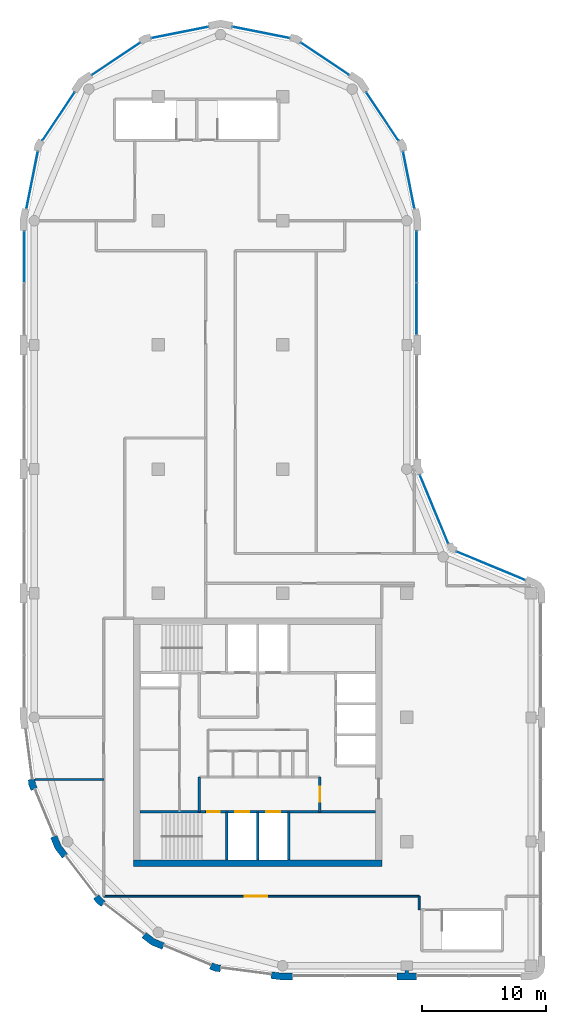
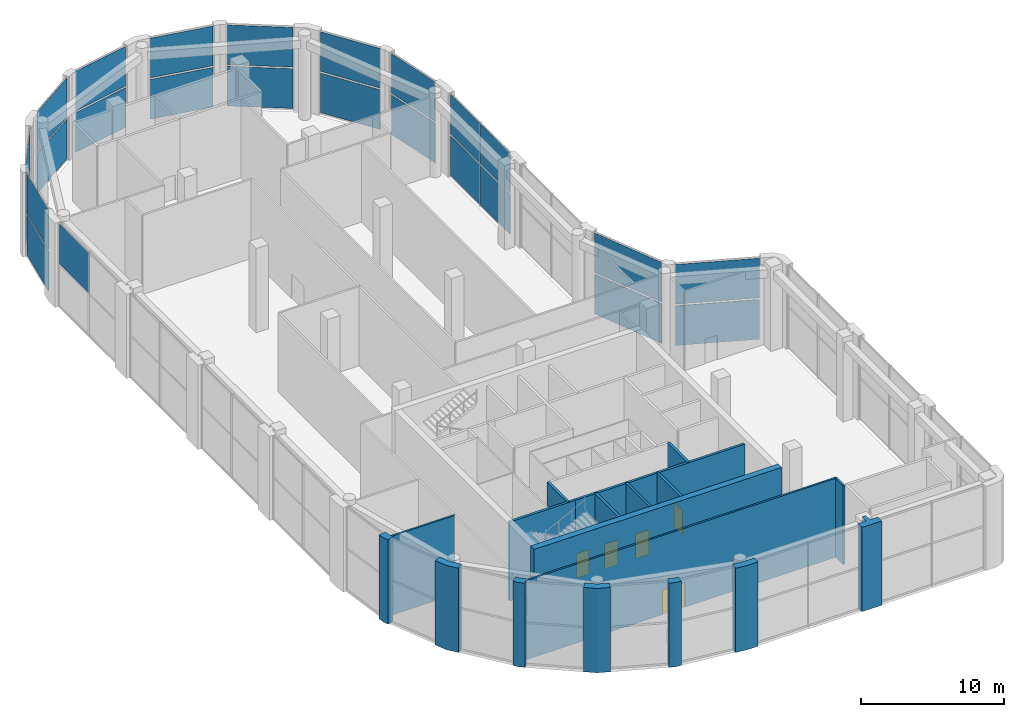
# One storey, part 10 of 14: 25 plates, 18 walls, 5 doors, 5 openings, 12 elements without a shape of their own.
"""IFC4 building model written with IfcOpenShell, lengths in metres."""

from ifc_helpers import new_model, si_unit, direction, frame, frame_2d, origin, origin_2d, place, context, subcontext, project, spatial, polyline, rectangle, outline, extrude, material, layer, layer_set, type_object, element, fill, aggregate, save


model = new_model("IFC4")

# Units and contexts
model_context = context("Model", 3, precision=1e-05, world=origin(), true_north=direction((0.0, 1.0)))
body_context = subcontext(model_context, "Body", "Model", "MODEL_VIEW")
ifc_project = project(units=[si_unit("LENGTHUNIT", "METRE"), si_unit("AREAUNIT", "SQUARE_METRE"), si_unit("VOLUMEUNIT", "CUBIC_METRE"), si_unit("PLANEANGLEUNIT", "RADIAN"), si_unit("MASSUNIT", "GRAM", prefix="KILO")], contexts=[model_context])

# Site, building, storey
site_placement = place(None, origin())
site = spatial("IfcSite", under=ifc_project, at=site_placement, CompositionType="ELEMENT")
building_placement = place(site_placement, origin())
building = spatial("IfcBuilding", under=site, at=building_placement, Name="Qaws Garden Tower", CompositionType="ELEMENT")
storey_placement = place(building_placement, frame((0.0, 0.0, 358.199951171875)))
storey = spatial("IfcBuildingStorey", under=building, at=storey_placement, Name="L87", CompositionType="ELEMENT", Elevation=358.199951171875)

# Curtain wall, plates
ifc_material_1 = material(Name="Anodised aluminium curtain wall frame", Category="aluminium")
ifc_layer_1 = layer(ifc_material_1, 0.159912109375)
ifc_layer_set_1 = layer_set([ifc_layer_1], Name="Anodised aluminium curtain wall frame")
curtain_wall_type = type_object("IfcCurtainWallType", Name="CW3 observation glazing curtain wall", PredefinedType="NOTDEFINED", material=ifc_layer_set_1)
placement = place(storey_placement, origin())
curtain_wall_1 = element("IfcCurtainWall", 1, at=placement, inside=storey, type_object=curtain_wall_type, Name="CW3 Observation glazing 05", PredefinedType="NOTDEFINED")
ifc_material_2 = material(Name="Clear laminated glass", Category="glass")
ifc_layer_2 = layer(ifc_material_2, 0.035888671875)
ifc_layer_set_2 = layer_set([ifc_layer_2], Name="Clear laminated glass")
plate_type = type_object("IfcPlateType", Name="CW3 glass panel 36", PredefinedType="CURTAIN_PANEL", material=ifc_layer_set_2)
plate_1_placement = place(storey_placement, frame((36.7705078125, 32.20361328125, 0.14013671875), z_axis=(0.0, 0.0, 1.0), x_axis=(-0.923879532538, 0.382683432301, 0.0)))
plate_1 = element("IfcPlate", 2, at=plate_1_placement, type_object=plate_type, Name="CW3 panel 1.1", PredefinedType="CURTAIN_PANEL", context=body_context, shape_type="SweptSolid", body=[
    extrude(rectangle(XDim=5.93359375, YDim=0.035888671875, at=origin_2d()), origin(), (0.0, 0.0, 1.0), 3.389892578125),
])
plate_2_placement = place(storey_placement, frame((36.7705078125, 32.20361328125, 3.669921875), z_axis=(0.0, 0.0, 1.0), x_axis=(-0.923879532538, 0.382683432301, 0.0)))
plate_2 = element("IfcPlate", 3, at=plate_2_placement, type_object=plate_type, Name="CW3 panel 1.2", PredefinedType="CURTAIN_PANEL", context=body_context, shape_type="SweptSolid", body=[
    extrude(rectangle(XDim=5.93359375, YDim=0.035888671875, at=origin_2d()), origin(), (0.0, 0.0, 1.0), 3.389892578125),
])
aggregate(curtain_wall_1, [plate_1, plate_2])

curtain_wall_2 = element("IfcCurtainWall", 4, at=placement, inside=storey, type_object=curtain_wall_type, Name="CW3 Observation glazing 06", PredefinedType="NOTDEFINED")
plate_3_placement = place(storey_placement, frame((32.20361328125, 36.7705078125, 0.14013671875), z_axis=(0.0, 0.0, 1.0), x_axis=(-0.382683432301, 0.923879532538, 0.0)))
plate_3 = element("IfcPlate", 5, at=plate_3_placement, type_object=plate_type, Name="CW3 panel 1.1", PredefinedType="CURTAIN_PANEL", context=body_context, shape_type="SweptSolid", body=[
    extrude(rectangle(XDim=5.93359375, YDim=0.035888671875, at=origin_2d()), origin(), (0.0, 0.0, 1.0), 3.389892578125),
])
plate_4_placement = place(storey_placement, frame((32.20361328125, 36.7705078125, 3.669921875), z_axis=(0.0, 0.0, 1.0), x_axis=(-0.382683432301, 0.923879532538, 0.0)))
plate_4 = element("IfcPlate", 6, at=plate_4_placement, type_object=plate_type, Name="CW3 panel 1.2", PredefinedType="CURTAIN_PANEL", context=body_context, shape_type="SweptSolid", body=[
    extrude(rectangle(XDim=5.93359375, YDim=0.035888671875, at=origin_2d()), origin(), (0.0, 0.0, 1.0), 3.389892578125),
])
aggregate(curtain_wall_2, [plate_3, plate_4])

curtain_wall_3 = element("IfcCurtainWall", 7, at=placement, inside=storey, type_object=curtain_wall_type, Name="CW3 Observation glazing 08", PredefinedType="NOTDEFINED")
plate_5_placement = place(storey_placement, frame((30.800048828125, 52.9150390625, 0.14013671875), z_axis=(0.0, 0.0, 1.0), x_axis=(0.0, 1.0, 0.0)))
plate_5 = element("IfcPlate", 8, at=plate_5_placement, type_object=plate_type, Name="CW3 panel 1.1", PredefinedType="CURTAIN_PANEL", context=body_context, shape_type="SweptSolid", body=[
    extrude(rectangle(XDim=4.110107421875, YDim=0.035888671875, at=origin_2d()), origin(), (0.0, 0.0, 1.0), 3.389892578125),
])
plate_6_placement = place(storey_placement, frame((30.800048828125, 52.9150390625, 3.669921875), z_axis=(0.0, 0.0, 1.0), x_axis=(0.0, 1.0, 0.0)))
plate_6 = element("IfcPlate", 9, at=plate_6_placement, type_object=plate_type, Name="CW3 panel 1.2", PredefinedType="CURTAIN_PANEL", context=body_context, shape_type="SweptSolid", body=[
    extrude(rectangle(XDim=4.110107421875, YDim=0.035888671875, at=origin_2d()), origin(), (0.0, 0.0, 1.0), 3.389892578125),
])
plate_7_placement = place(storey_placement, frame((30.800048828125, 57.0849609375, 0.14013671875), z_axis=(0.0, 0.0, 1.0), x_axis=(0.0, 1.0, 0.0)))
plate_7 = element("IfcPlate", 10, at=plate_7_placement, type_object=plate_type, Name="CW3 panel 2.1", PredefinedType="CURTAIN_PANEL", context=body_context, shape_type="SweptSolid", body=[
    extrude(rectangle(XDim=4.110107421875, YDim=0.035888671875, at=origin_2d()), origin(), (0.0, 0.0, 1.0), 3.389892578125),
])
plate_8_placement = place(storey_placement, frame((30.800048828125, 57.0849609375, 3.669921875), z_axis=(0.0, 0.0, 1.0), x_axis=(0.0, 1.0, 0.0)))
plate_8 = element("IfcPlate", 11, at=plate_8_placement, type_object=plate_type, Name="CW3 panel 2.2", PredefinedType="CURTAIN_PANEL", context=body_context, shape_type="SweptSolid", body=[
    extrude(rectangle(XDim=4.110107421875, YDim=0.035888671875, at=origin_2d()), origin(), (0.0, 0.0, 1.0), 3.389892578125),
])
aggregate(curtain_wall_3, [plate_5, plate_6, plate_7, plate_8])

curtain_wall_4 = element("IfcCurtainWall", 12, at=placement, inside=storey, type_object=curtain_wall_type, Name="CW3 Observation glazing 09", PredefinedType="NOTDEFINED")
plate_9_placement = place(storey_placement, frame((30.1650390625, 63.271484375, 0.14013671875), z_axis=(0.0, 0.0, 1.0), x_axis=(-0.195090321999, 0.980785280407, 0.0)))
plate_9 = element("IfcPlate", 13, at=plate_9_placement, type_object=plate_type, Name="CW3 panel 1.1", PredefinedType="CURTAIN_PANEL", context=body_context, shape_type="SweptSolid", body=[
    extrude(rectangle(XDim=4.6328125, YDim=0.035888671875, at=origin_2d()), origin(), (0.0, 0.0, 1.0), 3.389892578125),
])
plate_10_placement = place(storey_placement, frame((30.1650390625, 63.271484375, 3.669921875), z_axis=(0.0, 0.0, 1.0), x_axis=(-0.195090321999, 0.980785280407, 0.0)))
plate_10 = element("IfcPlate", 14, at=plate_10_placement, type_object=plate_type, Name="CW3 panel 1.2", PredefinedType="CURTAIN_PANEL", context=body_context, shape_type="SweptSolid", body=[
    extrude(rectangle(XDim=4.6328125, YDim=0.035888671875, at=origin_2d()), origin(), (0.0, 0.0, 1.0), 3.389892578125),
])
aggregate(curtain_wall_4, [plate_9, plate_10])

curtain_wall_5 = element("IfcCurtainWall", 15, at=placement, inside=storey, type_object=curtain_wall_type, Name="CW3 Observation glazing 10", PredefinedType="NOTDEFINED")
plate_11_placement = place(storey_placement, frame((28.036376953125, 68.409912109375, 0.14013671875), z_axis=(0.0, 0.0, 1.0), x_axis=(-0.555570233165, 0.831469612206, 0.0)))
plate_11 = element("IfcPlate", 16, at=plate_11_placement, type_object=plate_type, Name="CW3 panel 1.1", PredefinedType="CURTAIN_PANEL", context=body_context, shape_type="SweptSolid", body=[
    extrude(rectangle(XDim=4.6328125, YDim=0.035888671875, at=origin_2d()), origin(), (0.0, 0.0, 1.0), 3.389892578125),
])
plate_12_placement = place(storey_placement, frame((28.036376953125, 68.409912109375, 3.669921875), z_axis=(0.0, 0.0, 1.0), x_axis=(-0.555570233165, 0.831469612206, 0.0)))
plate_12 = element("IfcPlate", 17, at=plate_12_placement, type_object=plate_type, Name="CW3 panel 1.2", PredefinedType="CURTAIN_PANEL", context=body_context, shape_type="SweptSolid", body=[
    extrude(rectangle(XDim=4.6328125, YDim=0.035888671875, at=origin_2d()), origin(), (0.0, 0.0, 1.0), 3.389892578125),
])
aggregate(curtain_wall_5, [plate_11, plate_12])

curtain_wall_6 = element("IfcCurtainWall", 18, at=placement, inside=storey, type_object=curtain_wall_type, Name="CW3 Observation glazing 11", PredefinedType="NOTDEFINED")
plate_13_placement = place(storey_placement, frame((23.409912109375, 73.036376953125, 0.14013671875), z_axis=(0.0, 0.0, 1.0), x_axis=(-0.831469612206, 0.555570233165, 0.0)))
plate_13 = element("IfcPlate", 19, at=plate_13_placement, type_object=plate_type, Name="CW3 panel 1.1", PredefinedType="CURTAIN_PANEL", context=body_context, shape_type="SweptSolid", body=[
    extrude(rectangle(XDim=4.6328125, YDim=0.035888671875, at=origin_2d()), origin(), (0.0, 0.0, 1.0), 3.389892578125),
])
plate_14_placement = place(storey_placement, frame((23.409912109375, 73.036376953125, 3.669921875), z_axis=(0.0, 0.0, 1.0), x_axis=(-0.831469612206, 0.555570233165, 0.0)))
plate_14 = element("IfcPlate", 20, at=plate_14_placement, type_object=plate_type, Name="CW3 panel 1.2", PredefinedType="CURTAIN_PANEL", context=body_context, shape_type="SweptSolid", body=[
    extrude(rectangle(XDim=4.6328125, YDim=0.035888671875, at=origin_2d()), origin(), (0.0, 0.0, 1.0), 3.389892578125),
])
aggregate(curtain_wall_6, [plate_13, plate_14])

curtain_wall_7 = element("IfcCurtainWall", 21, at=placement, inside=storey, type_object=curtain_wall_type, Name="CW3 Observation glazing 12", PredefinedType="NOTDEFINED")
plate_15_placement = place(storey_placement, frame((18.271484375, 75.1650390625, 0.14013671875), z_axis=(0.0, 0.0, 1.0), x_axis=(-0.980785280407, 0.195090321999, 0.0)))
plate_15 = element("IfcPlate", 22, at=plate_15_placement, type_object=plate_type, Name="CW3 panel 1.1", PredefinedType="CURTAIN_PANEL", context=body_context, shape_type="SweptSolid", body=[
    extrude(rectangle(XDim=4.6328125, YDim=0.035888671875, at=origin_2d()), origin(), (0.0, 0.0, 1.0), 3.389892578125),
])
plate_16_placement = place(storey_placement, frame((18.271484375, 75.1650390625, 3.669921875), z_axis=(0.0, 0.0, 1.0), x_axis=(-0.980785280407, 0.195090321999, 0.0)))
plate_16 = element("IfcPlate", 23, at=plate_16_placement, type_object=plate_type, Name="CW3 panel 1.2", PredefinedType="CURTAIN_PANEL", context=body_context, shape_type="SweptSolid", body=[
    extrude(rectangle(XDim=4.6328125, YDim=0.035888671875, at=origin_2d()), origin(), (0.0, 0.0, 1.0), 3.389892578125),
])
aggregate(curtain_wall_7, [plate_15, plate_16])

curtain_wall_8 = element("IfcCurtainWall", 24, at=placement, inside=storey, type_object=curtain_wall_type, Name="CW3 Observation glazing 13", PredefinedType="NOTDEFINED")
plate_17_placement = place(storey_placement, frame((11.728515625, 75.1650390625, 0.14013671875), z_axis=(0.0, 0.0, 1.0), x_axis=(-0.980785280407, -0.195090321999, 0.0)))
plate_17 = element("IfcPlate", 25, at=plate_17_placement, type_object=plate_type, Name="CW3 panel 1.1", PredefinedType="CURTAIN_PANEL", context=body_context, shape_type="SweptSolid", body=[
    extrude(rectangle(XDim=4.6328125, YDim=0.035888671875, at=origin_2d()), origin(), (0.0, 0.0, 1.0), 3.389892578125),
])
plate_18_placement = place(storey_placement, frame((11.728515625, 75.1650390625, 3.669921875), z_axis=(0.0, 0.0, 1.0), x_axis=(-0.980785280407, -0.195090321999, 0.0)))
plate_18 = element("IfcPlate", 26, at=plate_18_placement, type_object=plate_type, Name="CW3 panel 1.2", PredefinedType="CURTAIN_PANEL", context=body_context, shape_type="SweptSolid", body=[
    extrude(rectangle(XDim=4.6328125, YDim=0.035888671875, at=origin_2d()), origin(), (0.0, 0.0, 1.0), 3.389892578125),
])
aggregate(curtain_wall_8, [plate_17, plate_18])

curtain_wall_9 = element("IfcCurtainWall", 27, at=placement, inside=storey, type_object=curtain_wall_type, Name="CW3 Observation glazing 14", PredefinedType="NOTDEFINED")
plate_19_placement = place(storey_placement, frame((6.590087890625, 73.036376953125, 0.14013671875), z_axis=(0.0, 0.0, 1.0), x_axis=(-0.831469612206, -0.555570233165, 0.0)))
plate_19 = element("IfcPlate", 28, at=plate_19_placement, type_object=plate_type, Name="CW3 panel 1.1", PredefinedType="CURTAIN_PANEL", context=body_context, shape_type="SweptSolid", body=[
    extrude(rectangle(XDim=4.6328125, YDim=0.035888671875, at=origin_2d()), origin(), (0.0, 0.0, 1.0), 3.389892578125),
])
plate_20_placement = place(storey_placement, frame((6.590087890625, 73.036376953125, 3.669921875), z_axis=(0.0, 0.0, 1.0), x_axis=(-0.831469612206, -0.555570233165, 0.0)))
plate_20 = element("IfcPlate", 29, at=plate_20_placement, type_object=plate_type, Name="CW3 panel 1.2", PredefinedType="CURTAIN_PANEL", context=body_context, shape_type="SweptSolid", body=[
    extrude(rectangle(XDim=4.6328125, YDim=0.035888671875, at=origin_2d()), origin(), (0.0, 0.0, 1.0), 3.389892578125),
])
aggregate(curtain_wall_9, [plate_19, plate_20])

curtain_wall_10 = element("IfcCurtainWall", 30, at=placement, inside=storey, type_object=curtain_wall_type, Name="CW3 Observation glazing 15", PredefinedType="NOTDEFINED")
plate_21_placement = place(storey_placement, frame((1.963623046875, 68.409912109375, 0.14013671875), z_axis=(0.0, 0.0, 1.0), x_axis=(-0.555570233165, -0.831469612206, 0.0)))
plate_21 = element("IfcPlate", 31, at=plate_21_placement, type_object=plate_type, Name="CW3 panel 1.1", PredefinedType="CURTAIN_PANEL", context=body_context, shape_type="SweptSolid", body=[
    extrude(rectangle(XDim=4.6328125, YDim=0.035888671875, at=origin_2d()), origin(), (0.0, 0.0, 1.0), 3.389892578125),
])
plate_22_placement = place(storey_placement, frame((1.963623046875, 68.409912109375, 3.669921875), z_axis=(0.0, 0.0, 1.0), x_axis=(-0.555570233165, -0.831469612206, 0.0)))
plate_22 = element("IfcPlate", 32, at=plate_22_placement, type_object=plate_type, Name="CW3 panel 1.2", PredefinedType="CURTAIN_PANEL", context=body_context, shape_type="SweptSolid", body=[
    extrude(rectangle(XDim=4.6328125, YDim=0.035888671875, at=origin_2d()), origin(), (0.0, 0.0, 1.0), 3.389892578125),
])
aggregate(curtain_wall_10, [plate_21, plate_22])

curtain_wall_11 = element("IfcCurtainWall", 33, at=placement, inside=storey, type_object=curtain_wall_type, Name="CW3 Observation glazing 16", PredefinedType="NOTDEFINED")
plate_23_placement = place(storey_placement, frame((-0.1650390625, 63.271484375, 0.14013671875), z_axis=(0.0, 0.0, 1.0), x_axis=(-0.195090321999, -0.980785280407, 0.0)))
plate_23 = element("IfcPlate", 34, at=plate_23_placement, type_object=plate_type, Name="CW3 panel 1.1", PredefinedType="CURTAIN_PANEL", context=body_context, shape_type="SweptSolid", body=[
    extrude(rectangle(XDim=4.6328125, YDim=0.035888671875, at=origin_2d()), origin(), (0.0, 0.0, 1.0), 3.389892578125),
])
plate_24_placement = place(storey_placement, frame((-0.1650390625, 63.271484375, 3.669921875), z_axis=(0.0, 0.0, 1.0), x_axis=(-0.195090321999, -0.980785280407, 0.0)))
plate_24 = element("IfcPlate", 35, at=plate_24_placement, type_object=plate_type, Name="CW3 panel 1.2", PredefinedType="CURTAIN_PANEL", context=body_context, shape_type="SweptSolid", body=[
    extrude(rectangle(XDim=4.6328125, YDim=0.035888671875, at=origin_2d()), origin(), (0.0, 0.0, 1.0), 3.389892578125),
])
aggregate(curtain_wall_11, [plate_23, plate_24])

# Curtain wall, plate
curtain_wall_12 = element("IfcCurtainWall", 36, at=placement, inside=storey, type_object=curtain_wall_type, Name="CW3 Observation glazing 17", PredefinedType="NOTDEFINED")
plate_25_placement = place(storey_placement, frame((-0.800048828125, 57.0849609375, 3.669921875), z_axis=(0.0, 0.0, 1.0), x_axis=(0.0, -1.0, 0.0)))
plate_25 = element("IfcPlate", 37, at=plate_25_placement, type_object=plate_type, Name="CW3 panel 1.2", PredefinedType="CURTAIN_PANEL", context=body_context, shape_type="SweptSolid", body=[
    extrude(rectangle(XDim=4.110107421875, YDim=0.035888671875, at=origin_2d()), origin(), (0.0, 0.0, 1.0), 3.389892578125),
])
aggregate(curtain_wall_12, [plate_25])

# Walls
ifc_material_3 = material(Name="Clay facing brick masonry", Category="masonry")
ifc_layer_3 = layer(ifc_material_3, 0.550048828125)
ifc_layer_set_3 = layer_set([ifc_layer_3], Name="Clay facing brick masonry")
wall_type_1 = type_object("IfcWallType", Name="Brick kink pier 550 x 600", PredefinedType="SOLIDWALL", material=ifc_layer_set_3)
element("IfcWall", 38, at=placement, inside=storey, type_object=wall_type_1, Name="E-L87-pier-22", PredefinedType="SOLIDWALL", context=body_context, shape_type="SweptSolid", body=[
    extrude(outline(polyline([(-0.34912109375, 14.990478515625), (-0.497802734375, 14.970947265625), (-0.43896484375, 14.5234375), (-0.26611328125, 14.1064453125), (-0.127685546875, 14.163818359375), (0.241943359375, 14.31689453125), (0.096923828125, 14.6669921875), (0.04736328125, 15.042724609375), (-0.34912109375, 14.990478515625)])), origin(), (0.0, 0.0, 1.0), 7.199951171875),
])
element("IfcWall", 39, at=placement, inside=storey, type_object=wall_type_1, Name="E-L87-pier-24", PredefinedType="SOLIDWALL", context=body_context, shape_type="SweptSolid", body=[
    extrude(outline(polyline([(4.8818359375, 5.487060546875), (4.762939453125, 5.395751953125), (5.03759765625, 5.03759765625), (5.395751953125, 4.762939453125), (5.487060546875, 4.8818359375), (5.730712890625, 5.19921875), (5.429931640625, 5.429931640625), (5.19921875, 5.730712890625), (4.8818359375, 5.487060546875)])), origin(), (0.0, 0.0, 1.0), 7.199951171875),
])
element("IfcWall", 40, at=placement, inside=storey, type_object=wall_type_1, Name="E-L87-pier-26", PredefinedType="SOLIDWALL", context=body_context, shape_type="SweptSolid", body=[
    extrude(outline(polyline([(14.163818359375, -0.127685546875), (14.1064453125, -0.26611328125), (14.5234375, -0.43896484375), (14.970947265625, -0.497802734375), (14.990478515625, -0.34912109375), (15.042724609375, 0.04736328125), (14.6669921875, 0.096923828125), (14.31689453125, 0.241943359375), (14.163818359375, -0.127685546875)])), origin(), (0.0, 0.0, 1.0), 7.199951171875),
])
ifc_material_4 = material(Name="Clay facing brick masonry", Category="masonry")
ifc_layer_4 = layer(ifc_material_4, 0.550048828125)
ifc_layer_set_4 = layer_set([ifc_layer_4], Name="Clay facing brick masonry")
wall_type_2 = type_object("IfcWallType", Name="Brick pier 550 x 1600", PredefinedType="SOLIDWALL", material=ifc_layer_set_4)
element("IfcWall", 41, at=placement, inside=storey, type_object=wall_type_2, Name="E-L87-pier-00", PredefinedType="SOLIDWALL", context=body_context, shape_type="SweptSolid", body=[
    extrude(outline(polyline([(19.076416015625, -0.886962890625), (19.056640625, -1.03564453125), (19.924560546875, -1.14990234375), (20.800048828125, -1.14990234375), (20.800048828125, -1.0), (20.800048828125, -0.60009765625), (19.960693359375, -0.60009765625), (19.12841796875, -0.490478515625), (19.076416015625, -0.886962890625)])), origin(), (0.0, 0.0, 1.0), 7.199951171875),
])
element("IfcWall", 42, at=placement, inside=storey, type_object=wall_type_2, Name="E-L87-pier-01", PredefinedType="SOLIDWALL", context=body_context, shape_type="SweptSolid", body=[
    extrude(outline(polyline([(30.800048828125, -0.60009765625), (30.14990234375, -0.60009765625), (30.14990234375, 0.0), (29.85009765625, 0.0), (29.85009765625, -0.60009765625), (29.199951171875, -0.60009765625), (29.199951171875, -1.0), (29.199951171875, -1.14990234375), (30.0, -1.14990234375), (30.800048828125, -1.14990234375), (30.800048828125, -1.0), (30.800048828125, -0.60009765625)])), origin(), (0.0, 0.0, 1.0), 7.199951171875),
])
element("IfcWall", 43, at=placement, inside=storey, type_object=wall_type_2, Name="E-L87-pier-23", PredefinedType="SOLIDWALL", context=body_context, shape_type="SweptSolid", body=[
    extrude(outline(polyline([(1.449462890625, 10.3564453125), (1.310791015625, 10.299072265625), (1.675048828125, 9.419921875), (2.254150390625, 8.665283203125), (2.373046875, 8.756591796875), (2.6904296875, 9.0), (2.1552734375, 9.697509765625), (1.819091796875, 10.509521484375), (1.449462890625, 10.3564453125)])), origin(), (0.0, 0.0, 1.0), 7.199951171875),
])
element("IfcWall", 44, at=placement, inside=storey, type_object=wall_type_2, Name="E-L87-pier-25", PredefinedType="SOLIDWALL", context=body_context, shape_type="SweptSolid", body=[
    extrude(outline(polyline([(8.756591796875, 2.373046875), (8.665283203125, 2.254150390625), (9.419921875, 1.675048828125), (10.299072265625, 1.310791015625), (10.3564453125, 1.449462890625), (10.509521484375, 1.819091796875), (9.697509765625, 2.1552734375), (9.0, 2.6904296875), (8.756591796875, 2.373046875)])), origin(), (0.0, 0.0, 1.0), 7.199951171875),
])
ifc_material_5 = material(Name="Concrete C60", Category="concrete")
ifc_layer_5 = layer(ifc_material_5, 0.199951171875)
ifc_layer_set_5 = layer_set([ifc_layer_5], Name="Concrete C60")
wall_type_3 = type_object("IfcWallType", Name="Core shaft wall 200 C60", PredefinedType="SHEAR", material=ifc_layer_set_5)
wall_8_placement = place(storey_placement, frame((8.5, 12.39990234375, 0.0), z_axis=(0.0, 0.0, 1.0), x_axis=(1.0, 0.0, 0.0)))
element("IfcWall", 45, at=wall_8_placement, inside=storey, type_object=wall_type_3, Name="Shaft wall", PredefinedType="SHEAR", context=body_context, shape_type="SweptSolid", body=[
    extrude(rectangle(XDim=5.300048828125, YDim=0.199951171875, at=frame_2d((2.64990234375, 0.0))), origin(), (0.0, 0.0, 1.0), 6.75),
])

# Wall, openings, doors
wall_9_placement = place(storey_placement, frame((13.800048828125, 12.39990234375, 0.0), z_axis=(0.0, 0.0, 1.0), x_axis=(1.0, 0.0, 0.0)))
wall_9 = element("IfcWall", 46, at=wall_9_placement, inside=storey, type_object=wall_type_3, Name="Shaft wall", PredefinedType="SHEAR", context=body_context, shape_type="SweptSolid", body=[
    extrude(rectangle(XDim=13.699951171875, YDim=0.199951171875, at=frame_2d((6.85009765625, 0.0))), origin(), (0.0, 0.0, 1.0), 6.75),
])
opening_1_placement = place(wall_9_placement, frame((2.39990234375, 0.0, 0.0)))
opening_1 = element("IfcOpeningElement", 47, at=opening_1_placement, cuts=wall_9, Name="Opening LD04", PredefinedType="OPENING", context=body_context, shape_type="SweptSolid", body=[
    extrude(rectangle(XDim=1.10009765625, YDim=2.10009765625, at=frame_2d((0.550048828125, 1.050048828125))), frame((0.0, 0.10986328125, 0.0), z_axis=(0.0, -1.0, 0.0), x_axis=(1.0, 0.0, 0.0)), (0.0, 0.0, 1.0), 0.219970703125),
])
opening_2_placement = place(wall_9_placement, frame((4.89990234375, 0.0, 0.0)))
opening_2 = element("IfcOpeningElement", 48, at=opening_2_placement, cuts=wall_9, Name="Opening LD05", PredefinedType="OPENING", context=body_context, shape_type="SweptSolid", body=[
    extrude(rectangle(XDim=1.10009765625, YDim=2.10009765625, at=frame_2d((0.550048828125, 1.050048828125))), frame((0.0, 0.10986328125, 0.0), z_axis=(0.0, -1.0, 0.0), x_axis=(1.0, 0.0, 0.0)), (0.0, 0.0, 1.0), 0.219970703125),
])
opening_3_placement = place(wall_9_placement, frame((0.14990234375, 0.0, 0.0)))
opening_3 = element("IfcOpeningElement", 49, at=opening_3_placement, cuts=wall_9, Name="Opening SD08", PredefinedType="OPENING", context=body_context, shape_type="SweptSolid", body=[
    extrude(rectangle(XDim=1.0, YDim=2.10009765625, at=frame_2d((0.5, 1.050048828125))), frame((0.0, 0.10986328125, 0.0), z_axis=(0.0, -1.0, 0.0), x_axis=(1.0, 0.0, 0.0)), (0.0, 0.0, 1.0), 0.219970703125),
])
ifc_material_6 = material(Name="Steel S235", Category="steel")
door_type_1 = type_object("IfcDoorType", Name="Landing door 1100x2100", OperationType="DOUBLE_DOOR_SLIDING", PredefinedType="DOOR", material=ifc_material_6)
door_1_placement = place(opening_1_placement, origin())
door_1 = element("IfcDoor", 50, at=door_1_placement, inside=storey, type_object=door_type_1, Name="Lift FF1 landing door", OperationType="DOUBLE_DOOR_SLIDING", OverallHeight=2.10009765625, OverallWidth=1.10009765625, PredefinedType="DOOR", context=body_context, shape_type="SweptSolid", body=[
    extrude(rectangle(XDim=1.10009765625, YDim=2.10009765625, at=frame_2d((0.550048828125, 1.050048828125))), frame((0.0, 0.02490234375, 0.0), z_axis=(0.0, -1.0, 0.0), x_axis=(1.0, 0.0, 0.0)), (0.0, 0.0, 1.0), 0.050048828125),
])
fill(opening_1, door_1)
door_2_placement = place(opening_2_placement, origin())
door_2 = element("IfcDoor", 51, at=door_2_placement, inside=storey, type_object=door_type_1, Name="Lift FF2 landing door", OperationType="DOUBLE_DOOR_SLIDING", OverallHeight=2.10009765625, OverallWidth=1.10009765625, PredefinedType="DOOR", context=body_context, shape_type="SweptSolid", body=[
    extrude(rectangle(XDim=1.10009765625, YDim=2.10009765625, at=frame_2d((0.550048828125, 1.050048828125))), frame((0.0, 0.02490234375, 0.0), z_axis=(0.0, -1.0, 0.0), x_axis=(1.0, 0.0, 0.0)), (0.0, 0.0, 1.0), 0.050048828125),
])
fill(opening_2, door_2)
ifc_material_7 = material(Name="Steel S235", Category="steel")
door_type_2 = type_object("IfcDoorType", Name="Stair door 1000x2100", OperationType="SINGLE_SWING_RIGHT", PredefinedType="DOOR", material=ifc_material_7)
door_3_placement = place(opening_3_placement, frame((1.0, 0.0, 0.0), z_axis=(0.0, 0.0, 1.0), x_axis=(-1.0, 0.0, 0.0)))
door_3 = element("IfcDoor", 52, at=door_3_placement, inside=storey, type_object=door_type_2, Name="Stair 1 door", OperationType="SINGLE_SWING_LEFT", OverallHeight=2.10009765625, OverallWidth=1.0, PredefinedType="DOOR", context=body_context, shape_type="SweptSolid", body=[
    extrude(rectangle(XDim=1.0, YDim=2.10009765625, at=frame_2d((0.5, 1.050048828125))), frame((0.0, 0.02490234375, 0.0), z_axis=(0.0, -1.0, 0.0), x_axis=(1.0, 0.0, 0.0)), (0.0, 0.0, 1.0), 0.050048828125),
])
fill(opening_3, door_3)

# Walls
wall_10_placement = place(storey_placement, frame((13.300048828125, 12.39990234375, 0.0), z_axis=(0.0, 0.0, 1.0), x_axis=(0.0, 1.0, 0.0)))
element("IfcWall", 53, at=wall_10_placement, inside=storey, type_object=wall_type_3, Name="Shaft wall", PredefinedType="SHEAR", context=body_context, shape_type="SweptSolid", body=[
    extrude(rectangle(XDim=2.800048828125, YDim=0.199951171875, at=frame_2d((1.39990234375, 0.0))), origin(), (0.0, 0.0, 1.0), 6.75),
])
for number, where, z_axis, x_axis, name in (
    (54, (15.5, 8.5, 0.0), (0.0, 0.0, 1.0), (0.0, 1.0, 0.0), "Shaft wall"),
    (55, (18.0, 8.5, 0.0), (0.0, 0.0, 1.0), (0.0, 1.0, 0.0), "Shaft wall"),
    (56, (20.5, 8.5, 0.0), (0.0, 0.0, 1.0), (0.0, 1.0, 0.0), "Shaft wall"),
):
    element("IfcWall", number, at=place(storey_placement, frame(where, z_axis=z_axis, x_axis=x_axis)), inside=storey, type_object=wall_type_3, Name=name, PredefinedType="SHEAR", context=body_context, shape_type="SweptSolid", body=[
        extrude(rectangle(XDim=3.89990234375, YDim=0.199951171875, at=frame_2d((1.949951171875, 0.0))), origin(), (0.0, 0.0, 1.0), 6.75),
    ])

# Wall, opening, door
wall_11_placement = place(storey_placement, frame((23.0, 12.39990234375, 0.0), z_axis=(0.0, 0.0, 1.0), x_axis=(0.0, 1.0, 0.0)))
wall_11 = element("IfcWall", 57, at=wall_11_placement, inside=storey, type_object=wall_type_3, Name="Shaft wall", PredefinedType="SHEAR", context=body_context, shape_type="SweptSolid", body=[
    extrude(rectangle(XDim=2.800048828125, YDim=0.199951171875, at=frame_2d((1.39990234375, 0.0))), origin(), (0.0, 0.0, 1.0), 6.75),
])
opening_4_placement = place(wall_11_placement, frame((0.800048828125, 0.0, 0.0)))
opening_4 = element("IfcOpeningElement", 58, at=opening_4_placement, cuts=wall_11, Name="Opening FD13", PredefinedType="OPENING", context=body_context, shape_type="SweptSolid", body=[
    extrude(rectangle(XDim=1.199951171875, YDim=2.10009765625, at=frame_2d((0.60009765625, 1.050048828125))), frame((0.0, 0.10986328125, 0.0), z_axis=(0.0, -1.0, 0.0), x_axis=(1.0, 0.0, 0.0)), (0.0, 0.0, 1.0), 0.219970703125),
])
ifc_material_8 = material(Name="Steel S235", Category="steel")
door_type_3 = type_object("IfcDoorType", Name="Lobby door 1200x2100", OperationType="DOUBLE_DOOR_SINGLE_SWING", PredefinedType="DOOR", material=ifc_material_8)
door_4_placement = place(opening_4_placement, origin())
door_4 = element("IfcDoor", 59, at=door_4_placement, inside=storey, type_object=door_type_3, Name="Fire-fighting lobby door", OperationType="DOUBLE_DOOR_SINGLE_SWING", OverallHeight=2.10009765625, OverallWidth=1.199951171875, PredefinedType="DOOR", context=body_context, shape_type="SweptSolid", body=[
    extrude(rectangle(XDim=1.199951171875, YDim=2.10009765625, at=frame_2d((0.60009765625, 1.050048828125))), frame((0.0, 0.02490234375, 0.0), z_axis=(0.0, -1.0, 0.0), x_axis=(1.0, 0.0, 0.0)), (0.0, 0.0, 1.0), 0.050048828125),
])
fill(opening_4, door_4)

# Walls
ifc_material_9 = material(Name="Concrete C60", Category="concrete")
ifc_layer_6 = layer(ifc_material_9, 0.5)
ifc_layer_set_6 = layer_set([ifc_layer_6], Name="Concrete C60")
wall_type_4 = type_object("IfcWallType", Name="Core wall 500 C60", PredefinedType="SHEAR", material=ifc_layer_set_6)
wall_12_placement = place(storey_placement, frame((8.0, 8.25, 0.0), z_axis=(0.0, 0.0, 1.0), x_axis=(1.0, 0.0, 0.0)))
element("IfcWall", 60, at=wall_12_placement, inside=storey, type_object=wall_type_4, Name="Core wall L87 south", PredefinedType="SHEAR", context=body_context, shape_type="SweptSolid", body=[
    extrude(rectangle(XDim=20.0, YDim=0.5, at=frame_2d((10.0, 0.0))), origin(), (0.0, 0.0, 1.0), 7.199951171875),
])
ifc_material_10 = material(Name="Gypsum board partition")
ifc_layer_7 = layer(ifc_material_10, 0.14990234375)
ifc_layer_set_7 = layer_set([ifc_layer_7], Name="Gypsum board partition")
wall_type_5 = type_object("IfcWallType", Name="PARTITION 150 EI 60", PredefinedType="PARTITIONING", material=ifc_layer_set_7)
wall_13_placement = place(storey_placement, frame((31.0, 4.5, 0.0), z_axis=(0.0, 0.0, 1.0), x_axis=(0.0, 1.0, 0.0)))
element("IfcWall", 61, at=wall_13_placement, inside=storey, type_object=wall_type_5, Name="O-L87-wall-012", PredefinedType="PARTITIONING", context=body_context, shape_type="SweptSolid", body=[
    extrude(rectangle(XDim=1.10009765625, YDim=0.14990234375, at=frame_2d((0.550048828125, 0.0))), origin(), (0.0, 0.0, 1.0), 6.75),
])

# Wall, opening, door
wall_14_placement = place(storey_placement, frame((5.60009765625, 5.60009765625, 0.0), z_axis=(0.0, 0.0, 1.0), x_axis=(1.0, 0.0, 0.0)))
wall_14 = element("IfcWall", 62, at=wall_14_placement, inside=storey, type_object=wall_type_5, Name="O-L87-wall-015", PredefinedType="PARTITIONING", context=body_context, shape_type="SweptSolid", body=[
    extrude(rectangle(XDim=25.39990234375, YDim=0.14990234375, at=frame_2d((12.699951171875, 0.0))), origin(), (0.0, 0.0, 1.0), 6.75),
])
opening_5_placement = place(wall_14_placement, frame((11.35009765625, 0.0, 0.0)))
opening_5 = element("IfcOpeningElement", 63, at=opening_5_placement, cuts=wall_14, Name="Opening OB03", PredefinedType="OPENING", context=body_context, shape_type="SweptSolid", body=[
    extrude(rectangle(XDim=1.800048828125, YDim=2.10009765625, at=frame_2d((0.89990234375, 1.050048828125))), frame((0.0, 0.0849609375, 0.0), z_axis=(0.0, -1.0, 0.0), x_axis=(1.0, 0.0, 0.0)), (0.0, 0.0, 1.0), 0.169921875),
])
ifc_material_11 = material(Name="Timber door leaf", Category="wood")
door_type_4 = type_object("IfcDoorType", Name="DOUBLE DOOR 1800 X 2100", OperationType="DOUBLE_DOOR_SINGLE_SWING", PredefinedType="DOOR", material=ifc_material_11)
door_5_placement = place(opening_5_placement, frame((1.800048828125, 0.0, 0.0), z_axis=(0.0, 0.0, 1.0), x_axis=(-1.0, 0.0, 0.0)))
door_5 = element("IfcDoor", 64, at=door_5_placement, inside=storey, type_object=door_type_4, Name="O-L87-door-003", OperationType="DOUBLE_DOOR_SINGLE_SWING", OverallHeight=2.10009765625, OverallWidth=1.800048828125, PredefinedType="DOOR", context=body_context, shape_type="SweptSolid", body=[
    extrude(rectangle(XDim=1.800048828125, YDim=2.10009765625, at=frame_2d((0.89990234375, 1.050048828125))), frame((0.0, 0.02490234375, 0.0), z_axis=(0.0, -1.0, 0.0), x_axis=(1.0, 0.0, 0.0)), (0.0, 0.0, 1.0), 0.050048828125),
])
fill(opening_5, door_5)

# Wall
wall_15_placement = place(storey_placement, frame((0.06298828125, 15.0, 0.0), z_axis=(0.0, 0.0, 1.0), x_axis=(1.0, 0.0, 0.0)))
element("IfcWall", 65, at=wall_15_placement, inside=storey, type_object=wall_type_5, Name="O-L87-wall-017", PredefinedType="PARTITIONING", context=body_context, shape_type="SweptSolid", body=[
    extrude(rectangle(XDim=5.537109375, YDim=0.14990234375, at=frame_2d((2.7685546875, 0.0))), origin(), (0.0, 0.0, 1.0), 6.75),
])

save(model, "model.ifc")
